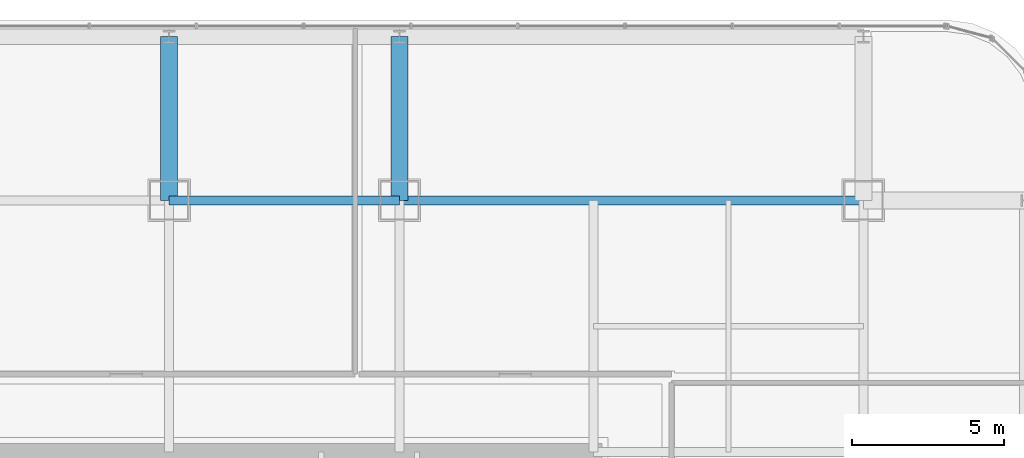
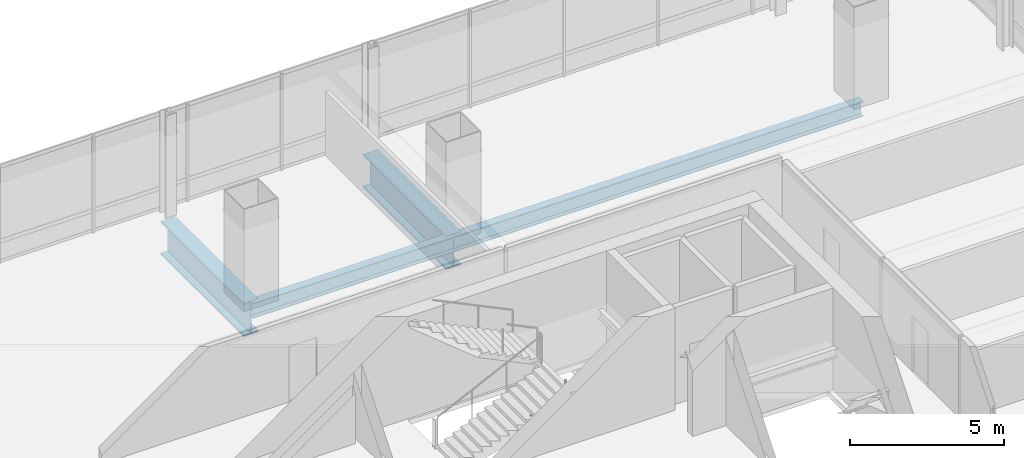
# One storey, part 26 of 39: 4 beams.
"""IFC4 building model written with IfcOpenShell, lengths in metres."""

import ifcopenshell
import ifcopenshell.guid

model = None  # the IFC model being written
_history = None  # IfcOwnerHistory: only IFC2X3 demands one
_inside = {}  # id of a spatial element -> (the spatial element, [elements in it])
_under = {}  # id of a project, library or spatial element -> (it, [spatial elements below it])
_declared = {}  # id of a project -> (the project, [libraries it declares])
_typed = {}  # id of a type object -> (the type object, [elements of that type])
_made_of = {}  # id of a material, layer set ... -> (it, [elements and type objects made of it])


def new_model(schema):
    """Start an empty IFC model of exactly this schema.

    Asked for "IFC4X3", IfcOpenShell would pick the latest addendum, in which some entities
    have other attributes; the version numbers below select the first issue.
    IFC2X3 requires an IfcOwnerHistory on every rooted entity: one is made here for all.
    """
    global model, _history
    if schema == "IFC4X3":
        model = ifcopenshell.file(schema_version=(4, 3, 0, 0))
    else:
        model = ifcopenshell.file(schema=schema)
    _inside.clear()
    _under.clear()
    _declared.clear()
    _typed.clear()
    _made_of.clear()
    _history = None
    if model.schema == "IFC2X3":
        org = make("IfcOrganization", Name="unknown")
        user = make(
            "IfcPersonAndOrganization",
            ThePerson=make("IfcPerson", FamilyName="unknown"),
            TheOrganization=org,
        )
        app = make(
            "IfcApplication",
            ApplicationDeveloper=org,
            Version="unknown",
            ApplicationFullName="unknown",
            ApplicationIdentifier="unknown",
        )
        _history = make(
            "IfcOwnerHistory",
            OwningUser=user,
            OwningApplication=app,
            ChangeAction="ADDED",
            CreationDate=0,
        )
    return model


def make(cls, **values):
    """One entity of the class cls with the attributes given. An attribute that is None is left unset."""
    return model.create_entity(
        cls, **{name: value for name, value in values.items() if value is not None}
    )


def rooted(cls, **values):
    """An entity with a GlobalId (a new one), such as an element, a storey or a relation."""
    return make(cls, GlobalId=ifcopenshell.guid.new(), OwnerHistory=_history, **values)


def si_unit(unit_type, name, prefix=None):
    """IfcSIUnit, for example si_unit("LENGTHUNIT", "METRE", prefix="MILLI")."""
    return make("IfcSIUnit", UnitType=unit_type, Prefix=prefix, Name=name)


def assignment(units):
    """IfcUnitAssignment: the units of a project."""
    return None if units is None else make("IfcUnitAssignment", Units=units)


def point(xyz):
    """IfcCartesianPoint."""
    return None if xyz is None else make("IfcCartesianPoint", Coordinates=xyz)


def direction(xyz):
    """IfcDirection."""
    return None if xyz is None else make("IfcDirection", DirectionRatios=xyz)


def frame(location, z_axis=None, x_axis=None):
    """IfcAxis2Placement3D, a coordinate frame: its origin and axes. An axis left out is left unset."""
    return make(
        "IfcAxis2Placement3D",
        Location=point(location),
        Axis=direction(z_axis),
        RefDirection=direction(x_axis),
    )


def frame_2d(location, x_axis=None):
    """IfcAxis2Placement2D, a coordinate frame in the plane: its origin and x axis."""
    return make(
        "IfcAxis2Placement2D", Location=point(location), RefDirection=direction(x_axis)
    )


def origin():
    """The frame at (0, 0, 0) with its axes left unset."""
    return frame((0.0, 0.0, 0.0))


def origin_2d():
    """The frame at (0, 0) in the plane with its x axis left unset."""
    return frame_2d((0.0, 0.0))


def place(relative_to, where):
    """IfcLocalPlacement: puts the frame where relative to a parent placement (None: the world)."""
    return make(
        "IfcLocalPlacement", PlacementRelTo=relative_to, RelativePlacement=where
    )


def context(
    kind, dimensions, precision=None, world=None, true_north=None, identifier=None
):
    """IfcGeometricRepresentationContext, for example the 3D "Model" context."""
    return make(
        "IfcGeometricRepresentationContext",
        ContextIdentifier=identifier,
        ContextType=kind,
        CoordinateSpaceDimension=dimensions,
        Precision=precision,
        WorldCoordinateSystem=world,
        TrueNorth=true_north,
    )


def subcontext(parent, identifier, kind, view, scale=None):
    """IfcGeometricRepresentationSubContext, for example "Body" below "Model"."""
    return make(
        "IfcGeometricRepresentationSubContext",
        ContextIdentifier=identifier,
        ContextType=kind,
        ParentContext=parent,
        TargetScale=scale,
        TargetView=view,
    )


def project(units=None, contexts=None):
    """IfcProject with its units and contexts."""
    return rooted(
        "IfcProject",
        Name="project",
        RepresentationContexts=contexts,
        UnitsInContext=assignment(units),
    )


def spatial(cls, under=None, at=None, **own):
    """A site, building, storey or space (cls), placed at a placement, below another one or the project."""
    s = rooted(cls, ObjectPlacement=at, **own)
    if under is not None:
        _under.setdefault(under.id(), (under, []))[1].append(s)
    return s


def profile(cls, at=None, kind="AREA", **sizes):
    """A parametric profile (cls). Its sizes go by their IFC names, for example OverallWidth=200.0."""
    return make(cls, ProfileType=kind, Position=at, **sizes)


def i_section(**sizes):
    """IfcIShapeProfileDef."""
    return profile("IfcIShapeProfileDef", **sizes)


def extrude(swept, where, along, depth):
    """IfcExtrudedAreaSolid: the profile swept, set in the frame where, extruded along a direction by depth."""
    return make(
        "IfcExtrudedAreaSolid",
        SweptArea=swept,
        Position=where,
        ExtrudedDirection=direction(along),
        Depth=depth,
    )


def shape(context_of_items, identifier, shape_type, items):
    """IfcShapeRepresentation: the items that make up one representation, for example the "Body"."""
    return make(
        "IfcShapeRepresentation",
        ContextOfItems=context_of_items,
        RepresentationIdentifier=identifier,
        RepresentationType=shape_type,
        Items=items,
    )


def material(Name=None, Category=None):
    """IfcMaterial."""
    return make("IfcMaterial", Name=Name, Category=Category)


def material_profile(
    of_material, cross_section, Name=None, Category=None, Priority=None
):
    """IfcMaterialProfile: a cross section and its material."""
    return make(
        "IfcMaterialProfile",
        Name=Name,
        Material=of_material,
        Profile=cross_section,
        Priority=Priority,
        Category=Category,
    )


def profile_set(profiles, Name=None, composite=None):
    """IfcMaterialProfileSet."""
    return make(
        "IfcMaterialProfileSet",
        Name=Name,
        MaterialProfiles=profiles,
        CompositeProfile=composite,
    )


def made_of(thing, what):
    """Note that an element or type object is made of a material, layer set ...; save() writes the relation."""
    if what is not None:
        _made_of.setdefault(what.id(), (what, []))[1].append(thing)
    return thing


def type_object(cls, material=None, **own):
    """A type object (cls), such as IfcWallType, which elements share."""
    return made_of(rooted(cls, **own), material)


def element(
    cls,
    number,
    at=None,
    inside=None,
    cuts=None,
    type_object=None,
    material=None,
    context=None,
    identifier="Body",
    shape_type=None,
    held_by="IfcProductDefinitionShape",
    body=None,
    shapes=None,
    **own,
):
    """One element of the class cls, such as IfcWall. Its Tag is "e" and its number.

    at: its placement. inside: the storey or other place that contains it. cuts: it is an
    opening in that element (IfcRelVoidsElement). A single representation is given by context,
    identifier, shape_type and body (its items); several are given by shapes. held_by: the class
    of the entity that holds the representations. save() writes the other relations.
    """
    e = rooted(cls, Tag="e%d" % number, ObjectPlacement=at, **own)
    if body is not None:
        shapes = [shape(context, identifier, shape_type, body)]
    if shapes is not None:
        e.Representation = make(held_by, Representations=shapes)
    if inside is not None:
        _inside.setdefault(inside.id(), (inside, []))[1].append(e)
    if cuts is not None:
        rooted(
            "IfcRelVoidsElement", RelatingBuildingElement=cuts, RelatedOpeningElement=e
        )
    if type_object is not None:
        _typed.setdefault(type_object.id(), (type_object, []))[1].append(e)
    return made_of(e, material)


def aggregate(whole, parts):
    """IfcRelAggregates: a whole, such as a stair, and the parts it consists of."""
    return rooted("IfcRelAggregates", RelatingObject=whole, RelatedObjects=parts)


def save(model, path):
    """Write the relations noted so far, then the file.

    IfcRelAggregates (storeys below a building ...), IfcRelContainedInSpatialStructure (elements
    in a storey), IfcRelDefinesByType, IfcRelAssociatesMaterial and IfcRelDeclares: one each for
    every whole, place, type object, material and project.
    """
    for whole, parts in _under.values():
        aggregate(whole, parts)
    for where, things in _inside.values():
        rooted(
            "IfcRelContainedInSpatialStructure",
            RelatedElements=things,
            RelatingStructure=where,
        )
    for kind, things in _typed.values():
        rooted("IfcRelDefinesByType", RelatedObjects=things, RelatingType=kind)
    for what, things in _made_of.values():
        rooted("IfcRelAssociatesMaterial", RelatedObjects=things, RelatingMaterial=what)
    for by, libraries in _declared.values():
        rooted("IfcRelDeclares", RelatingContext=by, RelatedDefinitions=libraries)
    model.write(path)


model = new_model("IFC4")

# Units and contexts
model_context = context("Model", 3, precision=1e-05, world=origin(), true_north=direction((0.0, 1.0)))
body_context = subcontext(model_context, "Body", "Model", "MODEL_VIEW")
ifc_project = project(units=[si_unit("LENGTHUNIT", "METRE"), si_unit("AREAUNIT", "SQUARE_METRE"), si_unit("VOLUMEUNIT", "CUBIC_METRE"), si_unit("PLANEANGLEUNIT", "RADIAN"), si_unit("MASSUNIT", "GRAM", prefix="KILO")], contexts=[model_context])

# Site, building, storey
site_placement = place(None, origin())
site = spatial("IfcSite", under=ifc_project, at=site_placement, CompositionType="ELEMENT")
building_placement = place(site_placement, origin())
building = spatial("IfcBuilding", under=site, at=building_placement, Name="Punatoya Terracotta Tower", CompositionType="ELEMENT")
storey_placement = place(building_placement, frame((0.0, 0.0, 275.699951171875)))
storey = spatial("IfcBuildingStorey", under=building, at=storey_placement, Name="L65", CompositionType="ELEMENT", Elevation=275.699951171875)

# Beams
ifc_material_1 = material(Name="Steel S355", Category="steel")
ifc_material_profile_1 = material_profile(ifc_material_1, i_section(OverallWidth=0.300048828125, OverallDepth=0.60009765625, WebThickness=0.015380859375, FlangeThickness=0.030029296875, FilletRadius=0.01806640625, at=origin_2d()))
ifc_profile_set_1 = profile_set([ifc_material_profile_1], Name="Steel S355")
beam_type_1 = type_object("IfcBeamType", Name="BM-PRI-600", PredefinedType="BEAM", material=ifc_profile_set_1)
beam_1_placement = place(storey_placement, frame((-3.800048828125, 17.5, -0.5), z_axis=(1.0, 0.0, 0.0), x_axis=(0.0, 1.0, 0.0)))
element("IfcBeam", 1, at=beam_1_placement, inside=storey, type_object=beam_type_1, Name="BM-L65-RG-N2", PredefinedType="BEAM", context=body_context, shape_type="SweptSolid", body=[
    extrude(i_section(OverallWidth=0.300048828125, OverallDepth=0.60009765625, WebThickness=0.015380859375, FlangeThickness=0.030029296875, FilletRadius=0.01806640625, at=origin_2d()), origin(), (0.0, 0.0, 1.0), 7.60009765625),
])
beam_2_placement = place(storey_placement, frame((3.800048828125, 17.5, -0.5), z_axis=(1.0, 0.0, 0.0), x_axis=(0.0, 1.0, 0.0)))
element("IfcBeam", 2, at=beam_2_placement, inside=storey, type_object=beam_type_1, Name="BM-L65-RG-N3", PredefinedType="BEAM", context=body_context, shape_type="SweptSolid", body=[
    extrude(i_section(OverallWidth=0.300048828125, OverallDepth=0.60009765625, WebThickness=0.015380859375, FlangeThickness=0.030029296875, FilletRadius=0.01806640625, at=origin_2d()), origin(), (0.0, 0.0, 1.0), 15.300048828125),
])
ifc_material_2 = material(Name="Steel S460", Category="steel")
ifc_material_profile_2 = material_profile(ifc_material_2, i_section(OverallWidth=0.56005859375, OverallDepth=1.320068359375, WebThickness=0.035888671875, FlangeThickness=0.054931640625, FilletRadius=0.01806640625, at=origin_2d()))
ifc_profile_set_2 = profile_set([ifc_material_profile_2], Name="Steel S460")
beam_type_2 = type_object("IfcBeamType", Name="BM-TG-BLK", PredefinedType="BEAM", material=ifc_profile_set_2)
for number, where, z_axis, x_axis, name in (
    (3, (-3.800048828125, 17.5, -0.85986328125), (0.0, 1.0, 0.0), (-1.0, 0.0, 0.0), "BM-L65-CANT-N2"),
    (4, (3.800048828125, 17.5, -0.85986328125), (0.0, 1.0, 0.0), (-1.0, 0.0, 0.0), "BM-L65-CANT-N3"),
):
    element("IfcBeam", number, at=place(storey_placement, frame(where, z_axis=z_axis, x_axis=x_axis)), inside=storey, type_object=beam_type_2, Name=name, PredefinedType="BEAM", context=body_context, shape_type="SweptSolid", body=[
        extrude(i_section(OverallWidth=0.56005859375, OverallDepth=1.320068359375, WebThickness=0.035888671875, FlangeThickness=0.054931640625, FilletRadius=0.01806640625, at=origin_2d()), origin(), (0.0, 0.0, 1.0), 5.39990234375),
    ])

save(model, "model.ifc")
